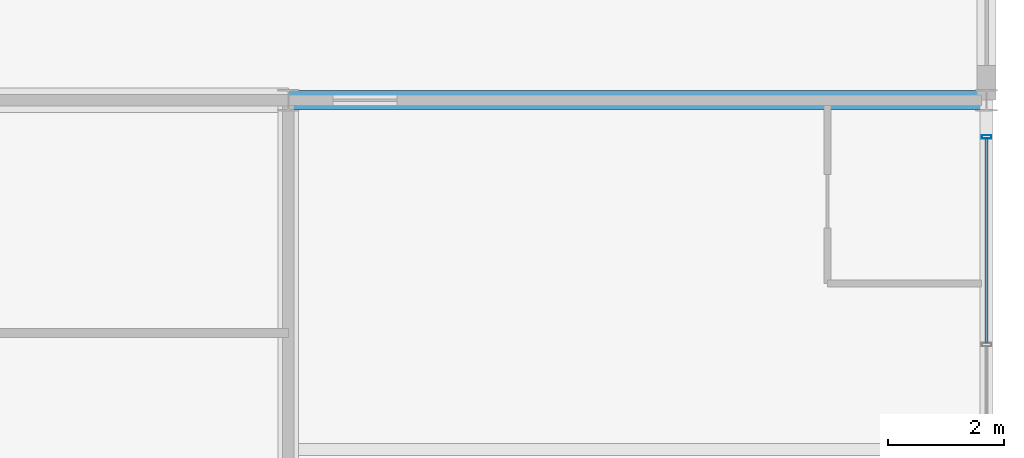
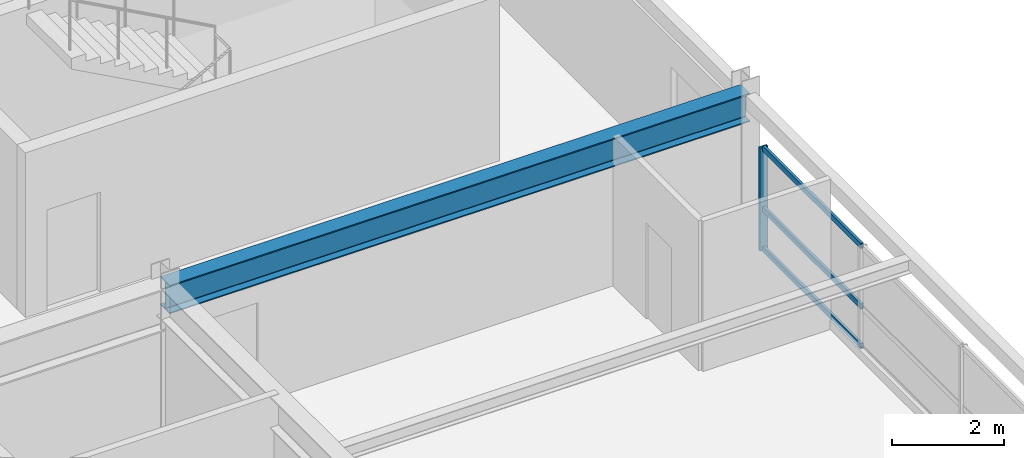
# One storey, part 11 of 22: 4 members, 1 beam, 1 element without a shape of its own.
"""IFC4 building model written with IfcOpenShell, lengths in metres."""

from ifc_helpers import new_model, si_unit, direction, frame, origin, origin_2d, place, context, subcontext, project, spatial, hollow_rectangle, i_section, extrude, material, material_profile, profile_set, type_object, element, aggregate, save


model = new_model("IFC4")

# Units and contexts
model_context = context("Model", 3, precision=1e-05, world=origin(), true_north=direction((0.0, 1.0)))
body_context = subcontext(model_context, "Body", "Model", "MODEL_VIEW")
ifc_project = project(units=[si_unit("LENGTHUNIT", "METRE"), si_unit("AREAUNIT", "SQUARE_METRE"), si_unit("VOLUMEUNIT", "CUBIC_METRE"), si_unit("PLANEANGLEUNIT", "RADIAN"), si_unit("MASSUNIT", "GRAM", prefix="KILO")], contexts=[model_context])

# Site, building, storey
site_placement = place(None, origin())
site = spatial("IfcSite", under=ifc_project, at=site_placement, CompositionType="ELEMENT")
building_placement = place(site_placement, origin())
building = spatial("IfcBuilding", under=site, at=building_placement, Name="Kaldorvane Square Convention Centre", CompositionType="ELEMENT")
storey_placement = place(building_placement, frame((0.0, 0.0, 67.19999694824219)))
storey = spatial("IfcBuildingStorey", under=building, at=storey_placement, Name="L16", CompositionType="ELEMENT", Elevation=67.19999694824219)

# Beam
ifc_material_1 = material(Name="Steel ASTM A992 Gr. 50", Category="steel")
ifc_material_profile_1 = material_profile(ifc_material_1, i_section(OverallWidth=0.326507568359375, OverallDepth=0.621795654296875, WebThickness=0.0153961181640625, FlangeThickness=0.0243988037109375, FilletRadius=0.0126953125, at=origin_2d()), Name="W24X131")
ifc_profile_set_1 = profile_set([ifc_material_profile_1], Name="Steel ASTM A992 Gr. 50")
beam_type = type_object("IfcBeamType", Name="BM-GR-W24X131", PredefinedType="BEAM", material=ifc_profile_set_1)
beam_placement = place(storey_placement, frame((66.0, 96.0, 2.9651031494140625), z_axis=(1.0, 0.0, 0.0), x_axis=(0.0, 1.0, 0.0)))
element("IfcBeam", 1, at=beam_placement, inside=storey, type_object=beam_type, Name="Primary Girder (L16)", PredefinedType="BEAM", context=body_context, shape_type="SweptSolid", body=[
    extrude(i_section(OverallWidth=0.326507568359375, OverallDepth=0.621795654296875, WebThickness=0.0153961181640625, FlangeThickness=0.0243988037109375, FilletRadius=0.0126953125, at=origin_2d()), origin(), (0.0, 0.0, 1.0), 12.0),
])

# Curtain wall, members
ifc_material_2 = material(Name="Anodized Aluminum and Low-E Insulated Glazing", Category="aluminium")
curtain_wall_type = type_object("IfcCurtainWallType", Name="CW-UNI-HTL-A", PredefinedType="USERDEFINED", material=ifc_material_2)
curtain_wall_placement = place(storey_placement, origin())
curtain_wall = element("IfcCurtainWall", 2, at=curtain_wall_placement, inside=storey, type_object=curtain_wall_type, Name="Curtain Wall CW-10 (L16)", ObjectType="UNITISED GLAZING", PredefinedType="USERDEFINED")
ifc_material_profile_2 = material_profile(ifc_material_2, hollow_rectangle(XDim=0.05999755859375, YDim=0.160003662109375, WallThickness=0.003204345703125, at=origin_2d()), Name="CWM-160X60")
ifc_profile_set_2 = profile_set([ifc_material_profile_2], Name="Anodized Aluminum and Low-E Insulated Glazing")
member_type_1 = type_object("IfcMemberType", Name="CW-MUL-160", PredefinedType="MULLION", material=ifc_profile_set_2)
member_1_placement = place(storey_placement, frame((78.0, 95.3699951171875, 0.1500091552734375), z_axis=(0.0, 0.0, 1.0), x_axis=(0.0, 1.0, 0.0)))
member_1 = element("IfcMember", 3, at=member_1_placement, type_object=member_type_1, Name="CW-10 mullion 4", PredefinedType="MULLION", context=body_context, shape_type="SweptSolid", body=[
    extrude(hollow_rectangle(XDim=0.05999755859375, YDim=0.160003662109375, WallThickness=0.003204345703125, at=origin_2d()), origin(), (0.0, 0.0, 1.0), 2.25),
])
ifc_material_profile_3 = material_profile(ifc_material_2, hollow_rectangle(XDim=0.05499267578125, YDim=0.1199951171875, WallThickness=0.0030059814453125, at=origin_2d()), Name="CWT-120X55")
ifc_profile_set_3 = profile_set([ifc_material_profile_3], Name="Anodized Aluminum and Low-E Insulated Glazing")
member_type_2 = type_object("IfcMemberType", Name="CW-TRN-120", PredefinedType="USERDEFINED", material=ifc_profile_set_3)
member_2_placement = place(storey_placement, frame((78.0, 91.83000183105469, 0.1775054931640625), z_axis=(0.0, 1.0, 0.0), x_axis=(-1.0, 0.0, 0.0)))
member_2 = element("IfcMember", 4, at=member_2_placement, type_object=member_type_2, Name="CW-10 transom 3.1", ObjectType="TRANSOM", PredefinedType="USERDEFINED", context=body_context, shape_type="SweptSolid", body=[
    extrude(hollow_rectangle(XDim=0.05499267578125, YDim=0.1199951171875, WallThickness=0.0030059814453125, at=origin_2d()), origin(), (0.0, 0.0, 1.0), 3.5099945068359375),
])
member_3_placement = place(storey_placement, frame((78.0, 91.83000183105469, 1.0500030517578125), z_axis=(0.0, 1.0, 0.0), x_axis=(-1.0, 0.0, 0.0)))
member_3 = element("IfcMember", 5, at=member_3_placement, type_object=member_type_2, Name="CW-10 transom 3.2", ObjectType="TRANSOM", PredefinedType="USERDEFINED", context=body_context, shape_type="SweptSolid", body=[
    extrude(hollow_rectangle(XDim=0.05499267578125, YDim=0.1199951171875, WallThickness=0.0030059814453125, at=origin_2d()), origin(), (0.0, 0.0, 1.0), 3.5099945068359375),
])
member_4_placement = place(storey_placement, frame((78.0, 91.83000183105469, 2.37249755859375), z_axis=(0.0, 1.0, 0.0), x_axis=(-1.0, 0.0, 0.0)))
member_4 = element("IfcMember", 6, at=member_4_placement, type_object=member_type_2, Name="CW-10 transom 3.3", ObjectType="TRANSOM", PredefinedType="USERDEFINED", context=body_context, shape_type="SweptSolid", body=[
    extrude(hollow_rectangle(XDim=0.05499267578125, YDim=0.1199951171875, WallThickness=0.0030059814453125, at=origin_2d()), origin(), (0.0, 0.0, 1.0), 3.5099945068359375),
])
aggregate(curtain_wall, [member_1, member_2, member_3, member_4])

save(model, "model.ifc")
